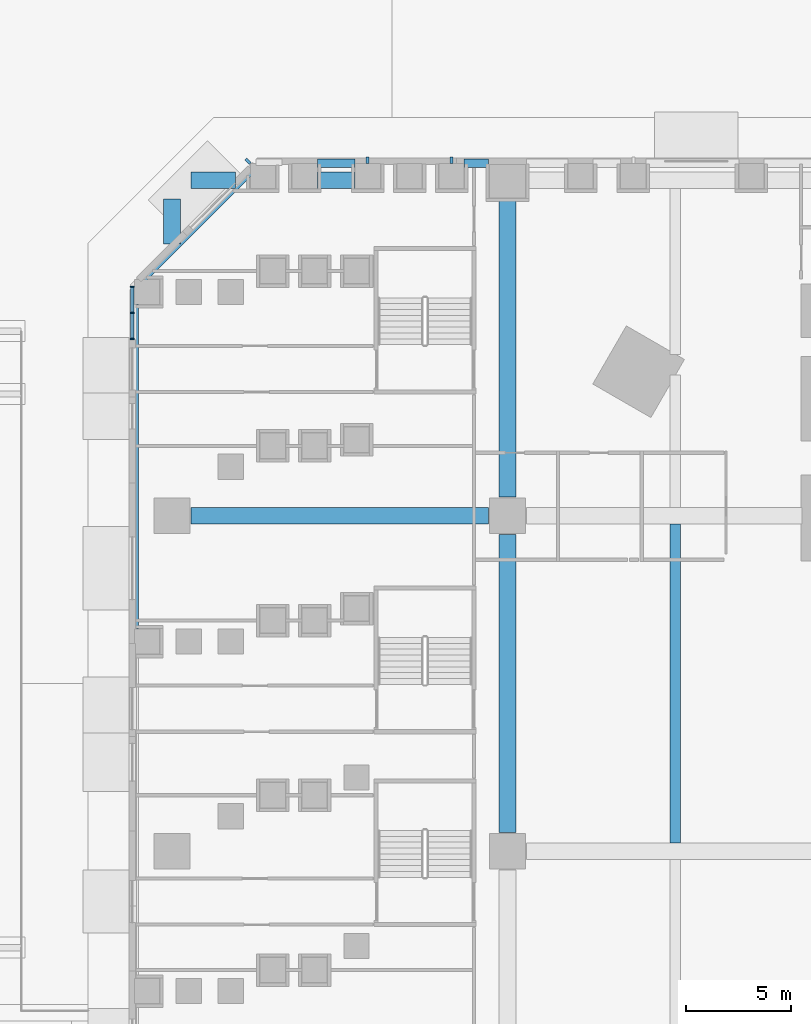
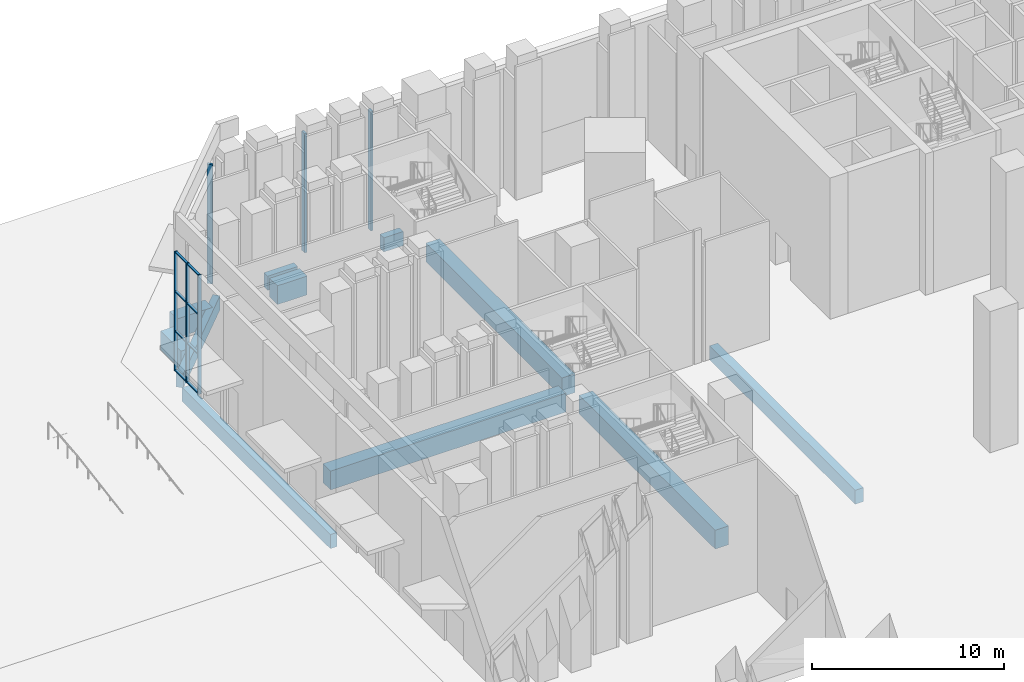
# One storey, part 7 of 51: 14 members, 11 beams, 1 element without a shape of its own.
"""IFC4 building model written with IfcOpenShell, lengths in metres."""

import ifcopenshell
import ifcopenshell.guid

model = None  # the IFC model being written
_history = None  # IfcOwnerHistory: only IFC2X3 demands one
_inside = {}  # id of a spatial element -> (the spatial element, [elements in it])
_under = {}  # id of a project, library or spatial element -> (it, [spatial elements below it])
_declared = {}  # id of a project -> (the project, [libraries it declares])
_typed = {}  # id of a type object -> (the type object, [elements of that type])
_made_of = {}  # id of a material, layer set ... -> (it, [elements and type objects made of it])


def new_model(schema):
    """Start an empty IFC model of exactly this schema.

    Asked for "IFC4X3", IfcOpenShell would pick the latest addendum, in which some entities
    have other attributes; the version numbers below select the first issue.
    IFC2X3 requires an IfcOwnerHistory on every rooted entity: one is made here for all.
    """
    global model, _history
    if schema == "IFC4X3":
        model = ifcopenshell.file(schema_version=(4, 3, 0, 0))
    else:
        model = ifcopenshell.file(schema=schema)
    _inside.clear()
    _under.clear()
    _declared.clear()
    _typed.clear()
    _made_of.clear()
    _history = None
    if model.schema == "IFC2X3":
        org = make("IfcOrganization", Name="unknown")
        user = make(
            "IfcPersonAndOrganization",
            ThePerson=make("IfcPerson", FamilyName="unknown"),
            TheOrganization=org,
        )
        app = make(
            "IfcApplication",
            ApplicationDeveloper=org,
            Version="unknown",
            ApplicationFullName="unknown",
            ApplicationIdentifier="unknown",
        )
        _history = make(
            "IfcOwnerHistory",
            OwningUser=user,
            OwningApplication=app,
            ChangeAction="ADDED",
            CreationDate=0,
        )
    return model


def make(cls, **values):
    """One entity of the class cls with the attributes given. An attribute that is None is left unset."""
    return model.create_entity(
        cls, **{name: value for name, value in values.items() if value is not None}
    )


def rooted(cls, **values):
    """An entity with a GlobalId (a new one), such as an element, a storey or a relation."""
    return make(cls, GlobalId=ifcopenshell.guid.new(), OwnerHistory=_history, **values)


def si_unit(unit_type, name, prefix=None):
    """IfcSIUnit, for example si_unit("LENGTHUNIT", "METRE", prefix="MILLI")."""
    return make("IfcSIUnit", UnitType=unit_type, Prefix=prefix, Name=name)


def assignment(units):
    """IfcUnitAssignment: the units of a project."""
    return None if units is None else make("IfcUnitAssignment", Units=units)


def point(xyz):
    """IfcCartesianPoint."""
    return None if xyz is None else make("IfcCartesianPoint", Coordinates=xyz)


def direction(xyz):
    """IfcDirection."""
    return None if xyz is None else make("IfcDirection", DirectionRatios=xyz)


def frame(location, z_axis=None, x_axis=None):
    """IfcAxis2Placement3D, a coordinate frame: its origin and axes. An axis left out is left unset."""
    return make(
        "IfcAxis2Placement3D",
        Location=point(location),
        Axis=direction(z_axis),
        RefDirection=direction(x_axis),
    )


def frame_2d(location, x_axis=None):
    """IfcAxis2Placement2D, a coordinate frame in the plane: its origin and x axis."""
    return make(
        "IfcAxis2Placement2D", Location=point(location), RefDirection=direction(x_axis)
    )


def origin():
    """The frame at (0, 0, 0) with its axes left unset."""
    return frame((0.0, 0.0, 0.0))


def origin_2d():
    """The frame at (0, 0) in the plane with its x axis left unset."""
    return frame_2d((0.0, 0.0))


def place(relative_to, where):
    """IfcLocalPlacement: puts the frame where relative to a parent placement (None: the world)."""
    return make(
        "IfcLocalPlacement", PlacementRelTo=relative_to, RelativePlacement=where
    )


def context(
    kind, dimensions, precision=None, world=None, true_north=None, identifier=None
):
    """IfcGeometricRepresentationContext, for example the 3D "Model" context."""
    return make(
        "IfcGeometricRepresentationContext",
        ContextIdentifier=identifier,
        ContextType=kind,
        CoordinateSpaceDimension=dimensions,
        Precision=precision,
        WorldCoordinateSystem=world,
        TrueNorth=true_north,
    )


def subcontext(parent, identifier, kind, view, scale=None):
    """IfcGeometricRepresentationSubContext, for example "Body" below "Model"."""
    return make(
        "IfcGeometricRepresentationSubContext",
        ContextIdentifier=identifier,
        ContextType=kind,
        ParentContext=parent,
        TargetScale=scale,
        TargetView=view,
    )


def project(units=None, contexts=None):
    """IfcProject with its units and contexts."""
    return rooted(
        "IfcProject",
        Name="project",
        RepresentationContexts=contexts,
        UnitsInContext=assignment(units),
    )


def spatial(cls, under=None, at=None, **own):
    """A site, building, storey or space (cls), placed at a placement, below another one or the project."""
    s = rooted(cls, ObjectPlacement=at, **own)
    if under is not None:
        _under.setdefault(under.id(), (under, []))[1].append(s)
    return s


def profile(cls, at=None, kind="AREA", **sizes):
    """A parametric profile (cls). Its sizes go by their IFC names, for example OverallWidth=200.0."""
    return make(cls, ProfileType=kind, Position=at, **sizes)


def rectangle(**sizes):
    """IfcRectangleProfileDef."""
    return profile("IfcRectangleProfileDef", **sizes)


def extrude(swept, where, along, depth):
    """IfcExtrudedAreaSolid: the profile swept, set in the frame where, extruded along a direction by depth."""
    return make(
        "IfcExtrudedAreaSolid",
        SweptArea=swept,
        Position=where,
        ExtrudedDirection=direction(along),
        Depth=depth,
    )


def shape(context_of_items, identifier, shape_type, items):
    """IfcShapeRepresentation: the items that make up one representation, for example the "Body"."""
    return make(
        "IfcShapeRepresentation",
        ContextOfItems=context_of_items,
        RepresentationIdentifier=identifier,
        RepresentationType=shape_type,
        Items=items,
    )


def material(Name=None, Category=None):
    """IfcMaterial."""
    return make("IfcMaterial", Name=Name, Category=Category)


def material_profile(
    of_material, cross_section, Name=None, Category=None, Priority=None
):
    """IfcMaterialProfile: a cross section and its material."""
    return make(
        "IfcMaterialProfile",
        Name=Name,
        Material=of_material,
        Profile=cross_section,
        Priority=Priority,
        Category=Category,
    )


def profile_set(profiles, Name=None, composite=None):
    """IfcMaterialProfileSet."""
    return make(
        "IfcMaterialProfileSet",
        Name=Name,
        MaterialProfiles=profiles,
        CompositeProfile=composite,
    )


def made_of(thing, what):
    """Note that an element or type object is made of a material, layer set ...; save() writes the relation."""
    if what is not None:
        _made_of.setdefault(what.id(), (what, []))[1].append(thing)
    return thing


def type_object(cls, material=None, **own):
    """A type object (cls), such as IfcWallType, which elements share."""
    return made_of(rooted(cls, **own), material)


def element(
    cls,
    number,
    at=None,
    inside=None,
    cuts=None,
    type_object=None,
    material=None,
    context=None,
    identifier="Body",
    shape_type=None,
    held_by="IfcProductDefinitionShape",
    body=None,
    shapes=None,
    **own,
):
    """One element of the class cls, such as IfcWall. Its Tag is "e" and its number.

    at: its placement. inside: the storey or other place that contains it. cuts: it is an
    opening in that element (IfcRelVoidsElement). A single representation is given by context,
    identifier, shape_type and body (its items); several are given by shapes. held_by: the class
    of the entity that holds the representations. save() writes the other relations.
    """
    e = rooted(cls, Tag="e%d" % number, ObjectPlacement=at, **own)
    if body is not None:
        shapes = [shape(context, identifier, shape_type, body)]
    if shapes is not None:
        e.Representation = make(held_by, Representations=shapes)
    if inside is not None:
        _inside.setdefault(inside.id(), (inside, []))[1].append(e)
    if cuts is not None:
        rooted(
            "IfcRelVoidsElement", RelatingBuildingElement=cuts, RelatedOpeningElement=e
        )
    if type_object is not None:
        _typed.setdefault(type_object.id(), (type_object, []))[1].append(e)
    return made_of(e, material)


def aggregate(whole, parts):
    """IfcRelAggregates: a whole, such as a stair, and the parts it consists of."""
    return rooted("IfcRelAggregates", RelatingObject=whole, RelatedObjects=parts)


def save(model, path):
    """Write the relations noted so far, then the file.

    IfcRelAggregates (storeys below a building ...), IfcRelContainedInSpatialStructure (elements
    in a storey), IfcRelDefinesByType, IfcRelAssociatesMaterial and IfcRelDeclares: one each for
    every whole, place, type object, material and project.
    """
    for whole, parts in _under.values():
        aggregate(whole, parts)
    for where, things in _inside.values():
        rooted(
            "IfcRelContainedInSpatialStructure",
            RelatedElements=things,
            RelatingStructure=where,
        )
    for kind, things in _typed.values():
        rooted("IfcRelDefinesByType", RelatedObjects=things, RelatingType=kind)
    for what, things in _made_of.values():
        rooted("IfcRelAssociatesMaterial", RelatedObjects=things, RelatingMaterial=what)
    for by, libraries in _declared.values():
        rooted("IfcRelDeclares", RelatingContext=by, RelatedDefinitions=libraries)
    model.write(path)


model = new_model("IFC4")

# Units and contexts
model_context = context("Model", 3, precision=1e-05, world=origin(), true_north=direction((0.0, 1.0)))
body_context = subcontext(model_context, "Body", "Model", "MODEL_VIEW")
ifc_project = project(units=[si_unit("LENGTHUNIT", "METRE"), si_unit("AREAUNIT", "SQUARE_METRE"), si_unit("VOLUMEUNIT", "CUBIC_METRE"), si_unit("PLANEANGLEUNIT", "RADIAN"), si_unit("MASSUNIT", "GRAM", prefix="KILO")], contexts=[model_context])

# Site, building, storey
site_placement = place(None, origin())
site = spatial("IfcSite", under=ifc_project, at=site_placement, CompositionType="ELEMENT")
building_placement = place(site_placement, origin())
building = spatial("IfcBuilding", under=site, at=building_placement, Name="Calabash Gate Tower", CompositionType="ELEMENT")
storey_placement = place(building_placement, origin())
storey = spatial("IfcBuildingStorey", under=building, at=storey_placement, Name="L00", CompositionType="ELEMENT", Elevation=0.0)

# Beams
ifc_material_1 = material(Name="Concrete C50/60", Category="concrete")
ifc_material_profile_1 = material_profile(ifc_material_1, rectangle(XDim=0.39990234375, YDim=0.89990234375, at=origin_2d()))
ifc_profile_set_1 = profile_set([ifc_material_profile_1], Name="Concrete C50/60")
beam_type_1 = type_object("IfcBeamType", Name="Edge beam RC 400x900 Concrete C50/60", PredefinedType="BEAM", material=ifc_profile_set_1)
beam_1_placement = place(storey_placement, frame((-49.800048828125, 2.60107421875, -1.0), z_axis=(0.0, 1.0, 0.0), x_axis=(-1.0, 0.0, 0.0)))
element("IfcBeam", 1, at=beam_1_placement, inside=storey, type_object=beam_type_1, Name="Edge beam L00 6", PredefinedType="BEAM", context=body_context, shape_type="SweptSolid", body=[
    extrude(rectangle(XDim=0.39990234375, YDim=0.89990234375, at=origin_2d()), origin(), (0.0, 0.0, 1.0), 15.468017578125),
])
beam_2_placement = place(storey_placement, frame((-49.464111328125, 19.2529296875, -1.0), z_axis=(0.707106781187, 0.707106781187, 0.0), x_axis=(-0.707106781187, 0.707106781187, 0.0)))
element("IfcBeam", 2, at=beam_2_placement, inside=storey, type_object=beam_type_1, Name="Edge beam L00 7", PredefinedType="BEAM", context=body_context, shape_type="SweptSolid", body=[
    extrude(rectangle(XDim=0.39990234375, YDim=0.89990234375, at=origin_2d()), origin(), (0.0, 0.0, 1.0), 7.37939453125),
])
beam_3_placement = place(storey_placement, frame((-41.069091796875, 24.800048828125, -1.0), z_axis=(1.0, 0.0, 0.0), x_axis=(0.0, 1.0, 0.0)))
element("IfcBeam", 3, at=beam_3_placement, inside=storey, type_object=beam_type_1, Name="Edge beam L00 8", PredefinedType="BEAM", context=body_context, shape_type="SweptSolid", body=[
    extrude(rectangle(XDim=0.39990234375, YDim=0.89990234375, at=origin_2d()), origin(), (0.0, 0.0, 1.0), 1.800048828125),
])
beam_4_placement = place(storey_placement, frame((-34.069091796875, 24.800048828125, -1.0), z_axis=(1.0, 0.0, 0.0), x_axis=(0.0, 1.0, 0.0)))
element("IfcBeam", 4, at=beam_4_placement, inside=storey, type_object=beam_type_1, Name="Edge beam L00 9", PredefinedType="BEAM", context=body_context, shape_type="SweptSolid", body=[
    extrude(rectangle(XDim=0.39990234375, YDim=0.89990234375, at=origin_2d()), origin(), (0.0, 0.0, 1.0), 1.169189453125),
])
ifc_material_2 = material(Name="Concrete C50/60", Category="concrete")
ifc_material_profile_2 = material_profile(ifc_material_2, rectangle(XDim=0.5, YDim=0.89990234375, at=origin_2d()))
ifc_profile_set_2 = profile_set([ifc_material_profile_2], Name="Concrete C50/60")
beam_type_2 = type_object("IfcBeamType", Name="Floor beam RC 500x900 Concrete C50/60", PredefinedType="BEAM", material=ifc_profile_set_2)
beam_5_placement = place(storey_placement, frame((-24.0, -7.60009765625, -1.0), z_axis=(0.0, 1.0, 0.0), x_axis=(-1.0, 0.0, 0.0)))
element("IfcBeam", 5, at=beam_5_placement, inside=storey, type_object=beam_type_2, Name="Floor beam L00 5", PredefinedType="BEAM", context=body_context, shape_type="SweptSolid", body=[
    extrude(rectangle(XDim=0.5, YDim=0.89990234375, at=origin_2d()), origin(), (0.0, 0.0, 1.0), 15.2001953125),
])
ifc_material_3 = material(Name="Concrete C50/60", Category="concrete")
ifc_material_profile_3 = material_profile(ifc_material_3, rectangle(XDim=0.800048828125, YDim=1.199951171875, at=origin_2d()))
ifc_profile_set_3 = profile_set([ifc_material_profile_3], Name="Concrete C50/60")
beam_type_3 = type_object("IfcBeamType", Name="Grid girder RC 800x1200 Concrete C50/60", PredefinedType="BEAM", material=ifc_profile_set_3)
beam_6_placement = place(storey_placement, frame((-48.0, 20.968017578125, -1.14990234375), z_axis=(0.0, 1.0, 0.0), x_axis=(-1.0, 0.0, 0.0)))
element("IfcBeam", 6, at=beam_6_placement, inside=storey, type_object=beam_type_3, Name="Grid girder L00 1", PredefinedType="BEAM", context=body_context, shape_type="SweptSolid", body=[
    extrude(rectangle(XDim=0.800048828125, YDim=1.199951171875, at=origin_2d()), origin(), (0.0, 0.0, 1.0), 2.132080078125),
])
for number, where, z_axis, x_axis, name in (
    (7, (-32.0, -7.10009765625, -1.14990234375), (0.0, 1.0, 0.0), (-1.0, 0.0, 0.0), "Grid girder L00 5"),
    (8, (-32.0, 8.89990234375, -1.14990234375), (0.0, 1.0, 0.0), (-1.0, 0.0, 0.0), "Grid girder L00 6"),
    (9, (-47.10009765625, 8.0, -1.14990234375), (1.0, 0.0, 0.0), (0.0, 1.0, 0.0), "Grid girder L00 43"),
):
    element("IfcBeam", number, at=place(storey_placement, frame(where, z_axis=z_axis, x_axis=x_axis)), inside=storey, type_object=beam_type_3, Name=name, PredefinedType="BEAM", context=body_context, shape_type="SweptSolid", body=[
        extrude(rectangle(XDim=0.800048828125, YDim=1.199951171875, at=origin_2d()), origin(), (0.0, 0.0, 1.0), 14.2001953125),
    ])
beam_7_placement = place(storey_placement, frame((-47.10009765625, 24.0, -1.14990234375), z_axis=(1.0, 0.0, 0.0), x_axis=(0.0, 1.0, 0.0)))
element("IfcBeam", 10, at=beam_7_placement, inside=storey, type_object=beam_type_3, Name="Grid girder L00 47", PredefinedType="BEAM", context=body_context, shape_type="SweptSolid", body=[
    extrude(rectangle(XDim=0.800048828125, YDim=1.199951171875, at=origin_2d()), origin(), (0.0, 0.0, 1.0), 2.132080078125),
])
beam_8_placement = place(storey_placement, frame((-41.069091796875, 24.0, -1.14990234375), z_axis=(1.0, 0.0, 0.0), x_axis=(0.0, 1.0, 0.0)))
element("IfcBeam", 11, at=beam_8_placement, inside=storey, type_object=beam_type_3, Name="Grid girder L00 48", PredefinedType="BEAM", context=body_context, shape_type="SweptSolid", body=[
    extrude(rectangle(XDim=0.800048828125, YDim=1.199951171875, at=origin_2d()), origin(), (0.0, 0.0, 1.0), 1.800048828125),
])

# Curtain wall, members
ifc_material_4 = material(Name="Anodised aluminium frame, bronze finish, clear laminated impact-rated glazing", Category="aluminium")
curtain_wall_type = type_object("IfcCurtainWallType", Name="Curtain wall CWF podium shopfront", PredefinedType="NOTDEFINED", material=ifc_material_4)
curtain_wall_placement = place(storey_placement, origin())
curtain_wall = element("IfcCurtainWall", 12, at=curtain_wall_placement, inside=storey, type_object=curtain_wall_type, Name="Curtain wall CWF L00 6.0.0", PredefinedType="NOTDEFINED")
ifc_material_5 = material(Name="Anodised aluminium frame, bronze finish", Category="aluminium")
ifc_material_profile_4 = material_profile(ifc_material_5, rectangle(XDim=0.199951171875, YDim=0.06494140625, at=origin_2d()))
ifc_profile_set_4 = profile_set([ifc_material_profile_4], Name="Anodised aluminium frame, bronze finish")
member_type_1 = type_object("IfcMemberType", Name="Mullion CWF 65x200", PredefinedType="MULLION", material=ifc_profile_set_4)
member_1_placement = place(storey_placement, frame((-49.89990234375, 18.91748046875, 0.0), z_axis=(0.0, 0.0, 1.0), x_axis=(1.0, 0.0, 0.0)))
member_1 = element("IfcMember", 13, at=member_1_placement, type_object=member_type_1, Name="CWF mullion 1", PredefinedType="MULLION", context=body_context, shape_type="SweptSolid", body=[
    extrude(rectangle(XDim=0.199951171875, YDim=0.06494140625, at=origin_2d()), origin(), (0.0, 0.0, 1.0), 7.60009765625),
])
member_2_placement = place(storey_placement, frame((-49.89990234375, 17.675048828125, 0.0), z_axis=(0.0, 0.0, 1.0), x_axis=(1.0, 0.0, 0.0)))
member_2 = element("IfcMember", 14, at=member_2_placement, type_object=member_type_1, Name="CWF mullion 2", PredefinedType="MULLION", context=body_context, shape_type="SweptSolid", body=[
    extrude(rectangle(XDim=0.199951171875, YDim=0.06494140625, at=origin_2d()), origin(), (0.0, 0.0, 1.0), 7.60009765625),
])
member_3_placement = place(storey_placement, frame((-49.89990234375, 16.4326171875, 0.0), z_axis=(0.0, 0.0, 1.0), x_axis=(1.0, 0.0, 0.0)))
member_3 = element("IfcMember", 15, at=member_3_placement, type_object=member_type_1, Name="CWF mullion 3", PredefinedType="MULLION", context=body_context, shape_type="SweptSolid", body=[
    extrude(rectangle(XDim=0.199951171875, YDim=0.06494140625, at=origin_2d()), origin(), (0.0, 0.0, 1.0), 7.60009765625),
])

# Members
ifc_material_6 = material(Name="Terracotta brick masonry, baguette fin", Category="masonry")
ifc_material_profile_5 = material_profile(ifc_material_6, rectangle(XDim=0.139892578125, YDim=0.300048828125, at=origin_2d()))
ifc_profile_set_5 = profile_set([ifc_material_profile_5], Name="Terracotta brick masonry, baguette fin")
member_type_2 = type_object("IfcMemberType", Name="Terracotta baguette 140x300", PredefinedType="USERDEFINED", material=ifc_profile_set_5)
for number, where, z_axis, x_axis, name in (
    (16, (-44.375, 24.906005859375, 0.0), (0.0, 0.0, 1.0), (-0.707106781187, -0.707106781187, 0.0), "BAGUETTE L00 19"),
    (17, (-38.6689453125, 24.949951171875, 0.0), (0.0, 0.0, 1.0), (-1.0, 0.0, 0.0), "BAGUETTE L00 20"),
    (18, (-34.6689453125, 24.949951171875, 0.0), (0.0, 0.0, 1.0), (-1.0, 0.0, 0.0), "BAGUETTE L00 21"),
):
    element("IfcMember", number, at=place(storey_placement, frame(where, z_axis=z_axis, x_axis=x_axis)), inside=storey, type_object=member_type_2, Name=name, ObjectType="BAGUETTE", PredefinedType="USERDEFINED", context=body_context, shape_type="SweptSolid", body=[
        extrude(rectangle(XDim=0.139892578125, YDim=0.300048828125, at=origin_2d()), origin(), (0.0, 0.0, 1.0), 7.60009765625),
    ])

# Member
ifc_material_7 = material(Name="Anodised aluminium frame, bronze finish", Category="aluminium")
ifc_material_profile_6 = material_profile(ifc_material_7, rectangle(XDim=0.14990234375, YDim=0.06494140625, at=origin_2d()))
ifc_profile_set_6 = profile_set([ifc_material_profile_6], Name="Anodised aluminium frame, bronze finish")
member_type_3 = type_object("IfcMemberType", Name="Transom CWF 65x150", PredefinedType="USERDEFINED", material=ifc_profile_set_6)
member_4_placement = place(storey_placement, frame((-49.89990234375, 18.885009765625, 0.032470703125), z_axis=(0.0, -1.0, 0.0), x_axis=(1.0, 0.0, 0.0)))
member_4 = element("IfcMember", 19, at=member_4_placement, type_object=member_type_3, Name="CWF transom 1.1", ObjectType="TRANSOM", PredefinedType="USERDEFINED", context=body_context, shape_type="SweptSolid", body=[
    extrude(rectangle(XDim=0.14990234375, YDim=0.06494140625, at=origin_2d()), origin(), (0.0, 0.0, 1.0), 1.177490234375),
])

member_5_placement = place(storey_placement, frame((-49.89990234375, 18.885009765625, 2.533447265625), z_axis=(0.0, -1.0, 0.0), x_axis=(1.0, 0.0, 0.0)))
member_5 = element("IfcMember", 20, at=member_5_placement, type_object=member_type_3, Name="CWF transom 1.2", ObjectType="TRANSOM", PredefinedType="USERDEFINED", context=body_context, shape_type="SweptSolid", body=[
    extrude(rectangle(XDim=0.14990234375, YDim=0.06494140625, at=origin_2d()), origin(), (0.0, 0.0, 1.0), 1.177490234375),
])

member_6_placement = place(storey_placement, frame((-49.89990234375, 18.885009765625, 5.066650390625), z_axis=(0.0, -1.0, 0.0), x_axis=(1.0, 0.0, 0.0)))
member_6 = element("IfcMember", 21, at=member_6_placement, type_object=member_type_3, Name="CWF transom 1.3", ObjectType="TRANSOM", PredefinedType="USERDEFINED", context=body_context, shape_type="SweptSolid", body=[
    extrude(rectangle(XDim=0.14990234375, YDim=0.06494140625, at=origin_2d()), origin(), (0.0, 0.0, 1.0), 1.177490234375),
])

member_7_placement = place(storey_placement, frame((-49.89990234375, 18.885009765625, 7.5673828125), z_axis=(0.0, -1.0, 0.0), x_axis=(1.0, 0.0, 0.0)))
member_7 = element("IfcMember", 22, at=member_7_placement, type_object=member_type_3, Name="CWF transom 1.4", ObjectType="TRANSOM", PredefinedType="USERDEFINED", context=body_context, shape_type="SweptSolid", body=[
    extrude(rectangle(XDim=0.14990234375, YDim=0.06494140625, at=origin_2d()), origin(), (0.0, 0.0, 1.0), 1.177490234375),
])

member_8_placement = place(storey_placement, frame((-49.89990234375, 17.642578125, 0.032470703125), z_axis=(0.0, -1.0, 0.0), x_axis=(1.0, 0.0, 0.0)))
member_8 = element("IfcMember", 23, at=member_8_placement, type_object=member_type_3, Name="CWF transom 2.1", ObjectType="TRANSOM", PredefinedType="USERDEFINED", context=body_context, shape_type="SweptSolid", body=[
    extrude(rectangle(XDim=0.14990234375, YDim=0.06494140625, at=origin_2d()), origin(), (0.0, 0.0, 1.0), 1.177490234375),
])

member_9_placement = place(storey_placement, frame((-49.89990234375, 17.642578125, 2.533447265625), z_axis=(0.0, -1.0, 0.0), x_axis=(1.0, 0.0, 0.0)))
member_9 = element("IfcMember", 24, at=member_9_placement, type_object=member_type_3, Name="CWF transom 2.2", ObjectType="TRANSOM", PredefinedType="USERDEFINED", context=body_context, shape_type="SweptSolid", body=[
    extrude(rectangle(XDim=0.14990234375, YDim=0.06494140625, at=origin_2d()), origin(), (0.0, 0.0, 1.0), 1.177490234375),
])

member_10_placement = place(storey_placement, frame((-49.89990234375, 17.642578125, 5.066650390625), z_axis=(0.0, -1.0, 0.0), x_axis=(1.0, 0.0, 0.0)))
member_10 = element("IfcMember", 25, at=member_10_placement, type_object=member_type_3, Name="CWF transom 2.3", ObjectType="TRANSOM", PredefinedType="USERDEFINED", context=body_context, shape_type="SweptSolid", body=[
    extrude(rectangle(XDim=0.14990234375, YDim=0.06494140625, at=origin_2d()), origin(), (0.0, 0.0, 1.0), 1.177490234375),
])

member_11_placement = place(storey_placement, frame((-49.89990234375, 17.642578125, 7.5673828125), z_axis=(0.0, -1.0, 0.0), x_axis=(1.0, 0.0, 0.0)))
member_11 = element("IfcMember", 26, at=member_11_placement, type_object=member_type_3, Name="CWF transom 2.4", ObjectType="TRANSOM", PredefinedType="USERDEFINED", context=body_context, shape_type="SweptSolid", body=[
    extrude(rectangle(XDim=0.14990234375, YDim=0.06494140625, at=origin_2d()), origin(), (0.0, 0.0, 1.0), 1.177490234375),
])

aggregate(curtain_wall, [member_1, member_2, member_3, member_4, member_5, member_6, member_7, member_8, member_9, member_10, member_11])

save(model, "model.ifc")
